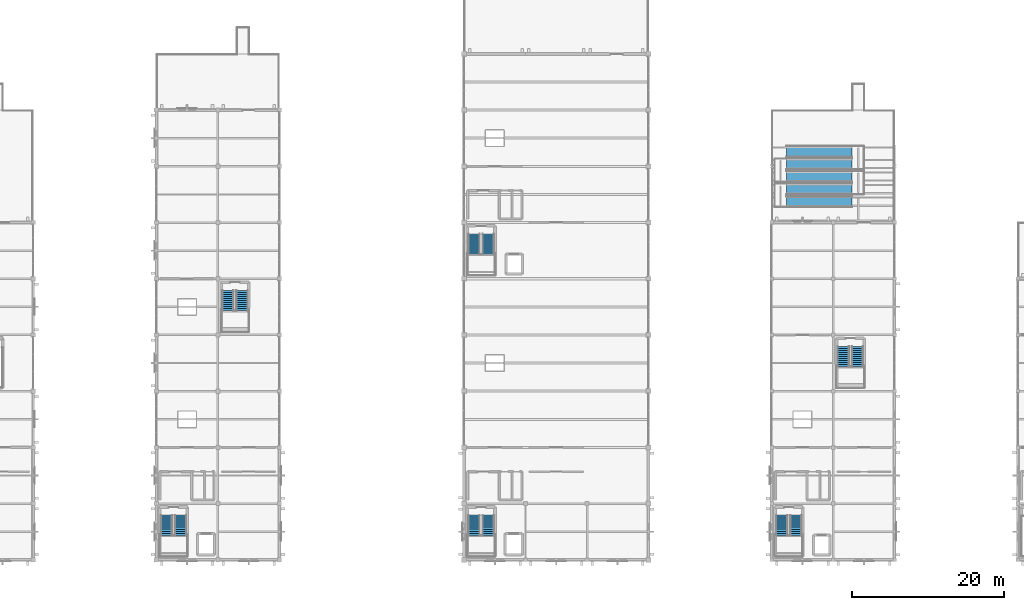
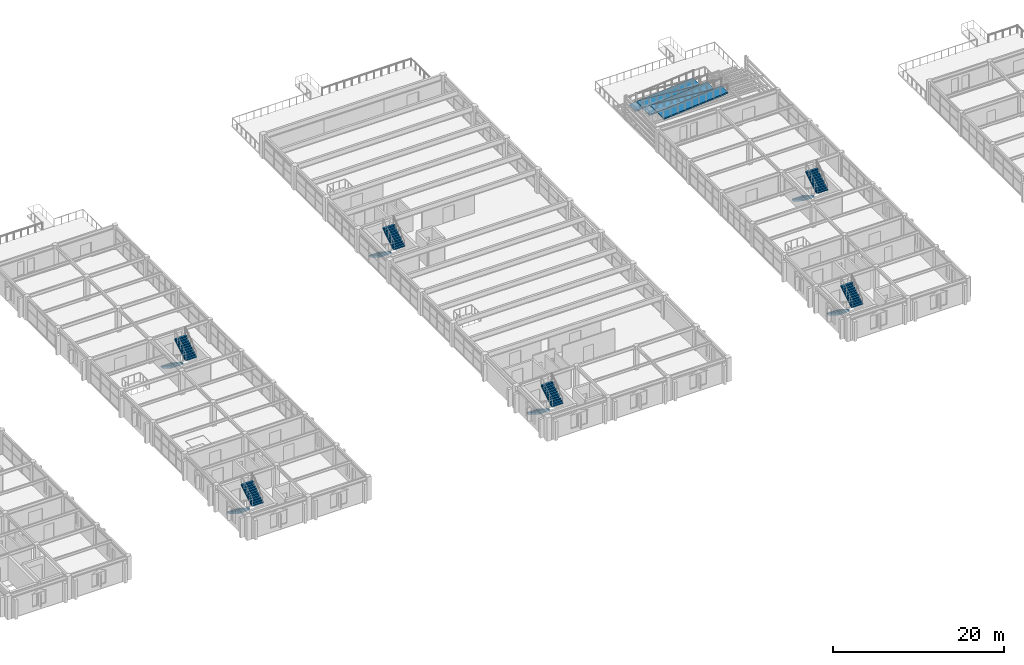
# One storey, part 86 of 93: 12 stair flights, 5 ramp flights, 7 elements without a shape of their own.
"""IFC4 building model written with IfcOpenShell, lengths in metres."""

from ifc_helpers import new_model, si_unit, direction, frame, origin, place, context, subcontext, project, spatial, polyline, outline, extrude, material, layer, layer_set, type_object, element, aggregate, save


model = new_model("IFC4")

# Units and contexts
model_context = context("Model", 3, precision=1e-05, world=origin(), true_north=direction((0.0, 1.0)))
body_context = subcontext(model_context, "Body", "Model", "MODEL_VIEW")
ifc_project = project(units=[si_unit("LENGTHUNIT", "METRE"), si_unit("AREAUNIT", "SQUARE_METRE"), si_unit("VOLUMEUNIT", "CUBIC_METRE"), si_unit("PLANEANGLEUNIT", "RADIAN"), si_unit("MASSUNIT", "GRAM", prefix="KILO")], contexts=[model_context])

# Site, building, storey
site_placement = place(None, origin())
site = spatial("IfcSite", under=ifc_project, at=site_placement, CompositionType="ELEMENT")
building_placement = place(site_placement, origin())
building = spatial("IfcBuilding", under=site, at=building_placement, Name="Cimatlan Art Gallery", CompositionType="ELEMENT")
storey_placement = place(building_placement, frame((0.0, 0.0, 13.800048828125)))
storey = spatial("IfcBuildingStorey", under=building, at=storey_placement, Name="L03", CompositionType="ELEMENT", Elevation=13.800048828125)

# Stair, stair flights
ifc_material = material(Name="Concrete C35/45", Category="concrete")
stair_type = type_object("IfcStairType", Name="STR-HALF-155-360", PredefinedType="HALF_TURN_STAIR", material=ifc_material)
stair_1_placement = place(storey_placement, origin())
stair_1 = element("IfcStair", 1, at=stair_1_placement, inside=storey, type_object=stair_type, Name="STR-C2-L03", PredefinedType="HALF_TURN_STAIR")
stair_flight_type = type_object("IfcStairFlightType", Name="STF-155-11R-265", PredefinedType="STRAIGHT", material=ifc_material)
stair_flight_1_placement = place(storey_placement, frame((35.735107421875, 29.780029296875, 0.0), z_axis=(0.0, 0.0, 1.0), x_axis=(0.0, -1.0, 0.0)))
stair_flight_1 = element("IfcStairFlight", 2, at=stair_flight_1_placement, type_object=stair_flight_type, Name="STR-C2-L03-F1", NumberOfRisers=11, NumberOfTreads=10, PredefinedType="STRAIGHT", RiserHeight=0.163636, TreadLength=0.265, context=body_context, shape_type="SweptSolid", body=[
    extrude(outline(polyline([(0.0, 0.0), (0.0, 0.16357421875), (0.264892578125, 0.16357421875), (0.264892578125, 0.327392578125), (0.530029296875, 0.327392578125), (0.530029296875, 0.490966796875), (0.794921875, 0.490966796875), (0.794921875, 0.654541015625), (1.06005859375, 0.654541015625), (1.06005859375, 0.818115234375), (1.324951171875, 0.818115234375), (1.324951171875, 0.98193359375), (1.590087890625, 0.98193359375), (1.590087890625, 1.1455078125), (1.85498046875, 1.1455078125), (1.85498046875, 1.30908203125), (2.1201171875, 1.30908203125), (2.1201171875, 1.47265625), (2.385009765625, 1.47265625), (2.385009765625, 1.636474609375), (2.64990234375, 1.636474609375), (2.64990234375, 1.800048828125), (2.64990234375, 1.4248046875), (0.342529296875, 0.0), (0.0, 0.0)])), frame((0.0, 0.77490234375, 0.0), z_axis=(0.0, -1.0, 0.0), x_axis=(1.0, 0.0, 0.0)), (0.0, 0.0, 1.0), 1.550048828125),
])
stair_flight_2_placement = place(storey_placement, frame((37.60498046875, 27.1298828125, 1.800048828125), z_axis=(0.0, 0.0, 1.0), x_axis=(0.0, 1.0, 0.0)))
stair_flight_2 = element("IfcStairFlight", 3, at=stair_flight_2_placement, type_object=stair_flight_type, Name="STR-C2-L03-F2", NumberOfRisers=11, NumberOfTreads=10, PredefinedType="STRAIGHT", RiserHeight=0.163636, TreadLength=0.265, context=body_context, shape_type="SweptSolid", body=[
    extrude(outline(polyline([(0.0, 0.0), (0.0, 0.16357421875), (0.264892578125, 0.16357421875), (0.264892578125, 0.327392578125), (0.530029296875, 0.327392578125), (0.530029296875, 0.490966796875), (0.794921875, 0.490966796875), (0.794921875, 0.654541015625), (1.06005859375, 0.654541015625), (1.06005859375, 0.818115234375), (1.324951171875, 0.818115234375), (1.324951171875, 0.98193359375), (1.590087890625, 0.98193359375), (1.590087890625, 1.1455078125), (1.85498046875, 1.1455078125), (1.85498046875, 1.30908203125), (2.1201171875, 1.30908203125), (2.1201171875, 1.47265625), (2.385009765625, 1.47265625), (2.385009765625, 1.636474609375), (2.64990234375, 1.636474609375), (2.64990234375, 1.800048828125), (2.64990234375, 1.4248046875), (0.342529296875, 0.0), (0.0, 0.0)])), frame((0.0, 0.77490234375, 0.0), z_axis=(0.0, -1.0, 0.0), x_axis=(1.0, 0.0, 0.0)), (0.0, 0.0, 1.0), 1.550048828125),
])
aggregate(stair_1, [stair_flight_1, stair_flight_2])

stair_2_placement = place(storey_placement, origin())
stair_2 = element("IfcStair", 4, at=stair_2_placement, inside=storey, type_object=stair_type, Name="STR-C3-L03", PredefinedType="HALF_TURN_STAIR")
stair_flight_3_placement = place(storey_placement, frame((76.235107421875, 29.780029296875, 0.0), z_axis=(0.0, 0.0, 1.0), x_axis=(0.0, -1.0, 0.0)))
stair_flight_3 = element("IfcStairFlight", 5, at=stair_flight_3_placement, type_object=stair_flight_type, Name="STR-C3-L03-F1", NumberOfRisers=11, NumberOfTreads=10, PredefinedType="STRAIGHT", RiserHeight=0.163636, TreadLength=0.265, context=body_context, shape_type="SweptSolid", body=[
    extrude(outline(polyline([(0.0, 0.0), (0.0, 0.16357421875), (0.264892578125, 0.16357421875), (0.264892578125, 0.327392578125), (0.530029296875, 0.327392578125), (0.530029296875, 0.490966796875), (0.794921875, 0.490966796875), (0.794921875, 0.654541015625), (1.06005859375, 0.654541015625), (1.06005859375, 0.818115234375), (1.324951171875, 0.818115234375), (1.324951171875, 0.98193359375), (1.590087890625, 0.98193359375), (1.590087890625, 1.1455078125), (1.85498046875, 1.1455078125), (1.85498046875, 1.30908203125), (2.1201171875, 1.30908203125), (2.1201171875, 1.47265625), (2.385009765625, 1.47265625), (2.385009765625, 1.636474609375), (2.64990234375, 1.636474609375), (2.64990234375, 1.800048828125), (2.64990234375, 1.4248046875), (0.342529296875, 0.0), (0.0, 0.0)])), frame((0.0, 0.77490234375, 0.0), z_axis=(0.0, -1.0, 0.0), x_axis=(1.0, 0.0, 0.0)), (0.0, 0.0, 1.0), 1.550048828125),
])
stair_flight_4_placement = place(storey_placement, frame((78.10498046875, 27.1298828125, 1.800048828125), z_axis=(0.0, 0.0, 1.0), x_axis=(0.0, 1.0, 0.0)))
stair_flight_4 = element("IfcStairFlight", 6, at=stair_flight_4_placement, type_object=stair_flight_type, Name="STR-C3-L03-F2", NumberOfRisers=11, NumberOfTreads=10, PredefinedType="STRAIGHT", RiserHeight=0.163636, TreadLength=0.265, context=body_context, shape_type="SweptSolid", body=[
    extrude(outline(polyline([(0.0, 0.0), (0.0, 0.16357421875), (0.264892578125, 0.16357421875), (0.264892578125, 0.327392578125), (0.530029296875, 0.327392578125), (0.530029296875, 0.490966796875), (0.794921875, 0.490966796875), (0.794921875, 0.654541015625), (1.06005859375, 0.654541015625), (1.06005859375, 0.818115234375), (1.324951171875, 0.818115234375), (1.324951171875, 0.98193359375), (1.590087890625, 0.98193359375), (1.590087890625, 1.1455078125), (1.85498046875, 1.1455078125), (1.85498046875, 1.30908203125), (2.1201171875, 1.30908203125), (2.1201171875, 1.47265625), (2.385009765625, 1.47265625), (2.385009765625, 1.636474609375), (2.64990234375, 1.636474609375), (2.64990234375, 1.800048828125), (2.64990234375, 1.4248046875), (0.342529296875, 0.0), (0.0, 0.0)])), frame((0.0, 0.77490234375, 0.0), z_axis=(0.0, -1.0, 0.0), x_axis=(1.0, 0.0, 0.0)), (0.0, 0.0, 1.0), 1.550048828125),
])
aggregate(stair_2, [stair_flight_3, stair_flight_4])

stair_3_placement = place(storey_placement, origin())
stair_3 = element("IfcStair", 7, at=stair_3_placement, inside=storey, type_object=stair_type, Name="STR-C4-L03", PredefinedType="HALF_TURN_STAIR")
stair_flight_5_placement = place(storey_placement, frame((116.735107421875, 29.780029296875, 0.0), z_axis=(0.0, 0.0, 1.0), x_axis=(0.0, -1.0, 0.0)))
stair_flight_5 = element("IfcStairFlight", 8, at=stair_flight_5_placement, type_object=stair_flight_type, Name="STR-C4-L03-F1", NumberOfRisers=11, NumberOfTreads=10, PredefinedType="STRAIGHT", RiserHeight=0.163636, TreadLength=0.265, context=body_context, shape_type="SweptSolid", body=[
    extrude(outline(polyline([(0.0, 0.0), (0.0, 0.16357421875), (0.264892578125, 0.16357421875), (0.264892578125, 0.327392578125), (0.530029296875, 0.327392578125), (0.530029296875, 0.490966796875), (0.794921875, 0.490966796875), (0.794921875, 0.654541015625), (1.06005859375, 0.654541015625), (1.06005859375, 0.818115234375), (1.324951171875, 0.818115234375), (1.324951171875, 0.98193359375), (1.590087890625, 0.98193359375), (1.590087890625, 1.1455078125), (1.85498046875, 1.1455078125), (1.85498046875, 1.30908203125), (2.1201171875, 1.30908203125), (2.1201171875, 1.47265625), (2.385009765625, 1.47265625), (2.385009765625, 1.636474609375), (2.64990234375, 1.636474609375), (2.64990234375, 1.800048828125), (2.64990234375, 1.4248046875), (0.342529296875, 0.0), (0.0, 0.0)])), frame((0.0, 0.77490234375, 0.0), z_axis=(0.0, -1.0, 0.0), x_axis=(1.0, 0.0, 0.0)), (0.0, 0.0, 1.0), 1.550048828125),
])
stair_flight_6_placement = place(storey_placement, frame((118.60498046875, 27.1298828125, 1.800048828125), z_axis=(0.0, 0.0, 1.0), x_axis=(0.0, 1.0, 0.0)))
stair_flight_6 = element("IfcStairFlight", 9, at=stair_flight_6_placement, type_object=stair_flight_type, Name="STR-C4-L03-F2", NumberOfRisers=11, NumberOfTreads=10, PredefinedType="STRAIGHT", RiserHeight=0.163636, TreadLength=0.265, context=body_context, shape_type="SweptSolid", body=[
    extrude(outline(polyline([(0.0, 0.0), (0.0, 0.16357421875), (0.264892578125, 0.16357421875), (0.264892578125, 0.327392578125), (0.530029296875, 0.327392578125), (0.530029296875, 0.490966796875), (0.794921875, 0.490966796875), (0.794921875, 0.654541015625), (1.06005859375, 0.654541015625), (1.06005859375, 0.818115234375), (1.324951171875, 0.818115234375), (1.324951171875, 0.98193359375), (1.590087890625, 0.98193359375), (1.590087890625, 1.1455078125), (1.85498046875, 1.1455078125), (1.85498046875, 1.30908203125), (2.1201171875, 1.30908203125), (2.1201171875, 1.47265625), (2.385009765625, 1.47265625), (2.385009765625, 1.636474609375), (2.64990234375, 1.636474609375), (2.64990234375, 1.800048828125), (2.64990234375, 1.4248046875), (0.342529296875, 0.0), (0.0, 0.0)])), frame((0.0, 0.77490234375, 0.0), z_axis=(0.0, -1.0, 0.0), x_axis=(1.0, 0.0, 0.0)), (0.0, 0.0, 1.0), 1.550048828125),
])
aggregate(stair_3, [stair_flight_5, stair_flight_6])

stair_4_placement = place(storey_placement, origin())
stair_4 = element("IfcStair", 10, at=stair_4_placement, inside=storey, type_object=stair_type, Name="STR-C6-L03", PredefinedType="HALF_TURN_STAIR")
stair_flight_7_placement = place(storey_placement, frame((76.235107421875, 66.780029296875, 0.0), z_axis=(0.0, 0.0, 1.0), x_axis=(0.0, -1.0, 0.0)))
stair_flight_7 = element("IfcStairFlight", 11, at=stair_flight_7_placement, type_object=stair_flight_type, Name="STR-C6-L03-F1", NumberOfRisers=11, NumberOfTreads=10, PredefinedType="STRAIGHT", RiserHeight=0.163636, TreadLength=0.265, context=body_context, shape_type="SweptSolid", body=[
    extrude(outline(polyline([(0.0, 0.0), (0.0, 0.16357421875), (0.264892578125, 0.16357421875), (0.264892578125, 0.327392578125), (0.530029296875, 0.327392578125), (0.530029296875, 0.490966796875), (0.794921875, 0.490966796875), (0.794921875, 0.654541015625), (1.06005859375, 0.654541015625), (1.06005859375, 0.818115234375), (1.324951171875, 0.818115234375), (1.324951171875, 0.98193359375), (1.590087890625, 0.98193359375), (1.590087890625, 1.1455078125), (1.85498046875, 1.1455078125), (1.85498046875, 1.30908203125), (2.1201171875, 1.30908203125), (2.1201171875, 1.47265625), (2.385009765625, 1.47265625), (2.385009765625, 1.636474609375), (2.64990234375, 1.636474609375), (2.64990234375, 1.800048828125), (2.64990234375, 1.4248046875), (0.342529296875, 0.0), (0.0, 0.0)])), frame((0.0, 0.77490234375, 0.0), z_axis=(0.0, -1.0, 0.0), x_axis=(1.0, 0.0, 0.0)), (0.0, 0.0, 1.0), 1.550048828125),
])
stair_flight_8_placement = place(storey_placement, frame((78.10498046875, 64.1298828125, 1.800048828125), z_axis=(0.0, 0.0, 1.0), x_axis=(0.0, 1.0, 0.0)))
stair_flight_8 = element("IfcStairFlight", 12, at=stair_flight_8_placement, type_object=stair_flight_type, Name="STR-C6-L03-F2", NumberOfRisers=11, NumberOfTreads=10, PredefinedType="STRAIGHT", RiserHeight=0.163636, TreadLength=0.265, context=body_context, shape_type="SweptSolid", body=[
    extrude(outline(polyline([(0.0, 0.0), (0.0, 0.16357421875), (0.264892578125, 0.16357421875), (0.264892578125, 0.327392578125), (0.530029296875, 0.327392578125), (0.530029296875, 0.490966796875), (0.794921875, 0.490966796875), (0.794921875, 0.654541015625), (1.06005859375, 0.654541015625), (1.06005859375, 0.818115234375), (1.324951171875, 0.818115234375), (1.324951171875, 0.98193359375), (1.590087890625, 0.98193359375), (1.590087890625, 1.1455078125), (1.85498046875, 1.1455078125), (1.85498046875, 1.30908203125), (2.1201171875, 1.30908203125), (2.1201171875, 1.47265625), (2.385009765625, 1.47265625), (2.385009765625, 1.636474609375), (2.64990234375, 1.636474609375), (2.64990234375, 1.800048828125), (2.64990234375, 1.4248046875), (0.342529296875, 0.0), (0.0, 0.0)])), frame((0.0, 0.77490234375, 0.0), z_axis=(0.0, -1.0, 0.0), x_axis=(1.0, 0.0, 0.0)), (0.0, 0.0, 1.0), 1.550048828125),
])
aggregate(stair_4, [stair_flight_7, stair_flight_8])

stair_5_placement = place(storey_placement, origin())
stair_5 = element("IfcStair", 13, at=stair_5_placement, inside=storey, type_object=stair_type, Name="STR-C8-L03", PredefinedType="HALF_TURN_STAIR")
stair_flight_9_placement = place(storey_placement, frame((43.8349609375, 59.3798828125, 0.0), z_axis=(0.0, 0.0, 1.0), x_axis=(0.0, -1.0, 0.0)))
stair_flight_9 = element("IfcStairFlight", 14, at=stair_flight_9_placement, type_object=stair_flight_type, Name="STR-C8-L03-F1", NumberOfRisers=11, NumberOfTreads=10, PredefinedType="STRAIGHT", RiserHeight=0.163636, TreadLength=0.265, context=body_context, shape_type="SweptSolid", body=[
    extrude(outline(polyline([(0.0, 0.0), (0.0, 0.16357421875), (0.264892578125, 0.16357421875), (0.264892578125, 0.327392578125), (0.530029296875, 0.327392578125), (0.530029296875, 0.490966796875), (0.794921875, 0.490966796875), (0.794921875, 0.654541015625), (1.06005859375, 0.654541015625), (1.06005859375, 0.818115234375), (1.324951171875, 0.818115234375), (1.324951171875, 0.98193359375), (1.590087890625, 0.98193359375), (1.590087890625, 1.1455078125), (1.85498046875, 1.1455078125), (1.85498046875, 1.30908203125), (2.1201171875, 1.30908203125), (2.1201171875, 1.47265625), (2.385009765625, 1.47265625), (2.385009765625, 1.636474609375), (2.64990234375, 1.636474609375), (2.64990234375, 1.800048828125), (2.64990234375, 1.4248046875), (0.342529296875, 0.0), (0.0, 0.0)])), frame((0.0, 0.77490234375, 0.0), z_axis=(0.0, -1.0, 0.0), x_axis=(1.0, 0.0, 0.0)), (0.0, 0.0, 1.0), 1.550048828125),
])
stair_flight_10_placement = place(storey_placement, frame((45.705078125, 56.72998046875, 1.800048828125), z_axis=(0.0, 0.0, 1.0), x_axis=(0.0, 1.0, 0.0)))
stair_flight_10 = element("IfcStairFlight", 15, at=stair_flight_10_placement, type_object=stair_flight_type, Name="STR-C8-L03-F2", NumberOfRisers=11, NumberOfTreads=10, PredefinedType="STRAIGHT", RiserHeight=0.163636, TreadLength=0.265, context=body_context, shape_type="SweptSolid", body=[
    extrude(outline(polyline([(0.0, 0.0), (0.0, 0.16357421875), (0.264892578125, 0.16357421875), (0.264892578125, 0.327392578125), (0.530029296875, 0.327392578125), (0.530029296875, 0.490966796875), (0.794921875, 0.490966796875), (0.794921875, 0.654541015625), (1.06005859375, 0.654541015625), (1.06005859375, 0.818115234375), (1.324951171875, 0.818115234375), (1.324951171875, 0.98193359375), (1.590087890625, 0.98193359375), (1.590087890625, 1.1455078125), (1.85498046875, 1.1455078125), (1.85498046875, 1.30908203125), (2.1201171875, 1.30908203125), (2.1201171875, 1.47265625), (2.385009765625, 1.47265625), (2.385009765625, 1.636474609375), (2.64990234375, 1.636474609375), (2.64990234375, 1.800048828125), (2.64990234375, 1.4248046875), (0.342529296875, 0.0), (0.0, 0.0)])), frame((0.0, 0.77490234375, 0.0), z_axis=(0.0, -1.0, 0.0), x_axis=(1.0, 0.0, 0.0)), (0.0, 0.0, 1.0), 1.550048828125),
])
aggregate(stair_5, [stair_flight_9, stair_flight_10])

stair_6_placement = place(storey_placement, origin())
stair_6 = element("IfcStair", 16, at=stair_6_placement, inside=storey, type_object=stair_type, Name="STR-C9-L03", PredefinedType="HALF_TURN_STAIR")
stair_flight_11_placement = place(storey_placement, frame((124.8349609375, 51.97998046875, 0.0), z_axis=(0.0, 0.0, 1.0), x_axis=(0.0, -1.0, 0.0)))
stair_flight_11 = element("IfcStairFlight", 17, at=stair_flight_11_placement, type_object=stair_flight_type, Name="STR-C9-L03-F1", NumberOfRisers=11, NumberOfTreads=10, PredefinedType="STRAIGHT", RiserHeight=0.163636, TreadLength=0.265, context=body_context, shape_type="SweptSolid", body=[
    extrude(outline(polyline([(0.0, 0.0), (0.0, 0.16357421875), (0.264892578125, 0.16357421875), (0.264892578125, 0.327392578125), (0.530029296875, 0.327392578125), (0.530029296875, 0.490966796875), (0.794921875, 0.490966796875), (0.794921875, 0.654541015625), (1.06005859375, 0.654541015625), (1.06005859375, 0.818115234375), (1.324951171875, 0.818115234375), (1.324951171875, 0.98193359375), (1.590087890625, 0.98193359375), (1.590087890625, 1.1455078125), (1.85498046875, 1.1455078125), (1.85498046875, 1.30908203125), (2.1201171875, 1.30908203125), (2.1201171875, 1.47265625), (2.385009765625, 1.47265625), (2.385009765625, 1.636474609375), (2.64990234375, 1.636474609375), (2.64990234375, 1.800048828125), (2.64990234375, 1.4248046875), (0.342529296875, 0.0), (0.0, 0.0)])), frame((0.0, 0.77490234375, 0.0), z_axis=(0.0, -1.0, 0.0), x_axis=(1.0, 0.0, 0.0)), (0.0, 0.0, 1.0), 1.550048828125),
])
stair_flight_12_placement = place(storey_placement, frame((126.705078125, 49.330078125, 1.800048828125), z_axis=(0.0, 0.0, 1.0), x_axis=(0.0, 1.0, 0.0)))
stair_flight_12 = element("IfcStairFlight", 18, at=stair_flight_12_placement, type_object=stair_flight_type, Name="STR-C9-L03-F2", NumberOfRisers=11, NumberOfTreads=10, PredefinedType="STRAIGHT", RiserHeight=0.163636, TreadLength=0.265, context=body_context, shape_type="SweptSolid", body=[
    extrude(outline(polyline([(0.0, 0.0), (0.0, 0.16357421875), (0.264892578125, 0.16357421875), (0.264892578125, 0.327392578125), (0.530029296875, 0.327392578125), (0.530029296875, 0.490966796875), (0.794921875, 0.490966796875), (0.794921875, 0.654541015625), (1.06005859375, 0.654541015625), (1.06005859375, 0.818115234375), (1.324951171875, 0.818115234375), (1.324951171875, 0.98193359375), (1.590087890625, 0.98193359375), (1.590087890625, 1.1455078125), (1.85498046875, 1.1455078125), (1.85498046875, 1.30908203125), (2.1201171875, 1.30908203125), (2.1201171875, 1.47265625), (2.385009765625, 1.47265625), (2.385009765625, 1.636474609375), (2.64990234375, 1.636474609375), (2.64990234375, 1.800048828125), (2.64990234375, 1.4248046875), (0.342529296875, 0.0), (0.0, 0.0)])), frame((0.0, 0.77490234375, 0.0), z_axis=(0.0, -1.0, 0.0), x_axis=(1.0, 0.0, 0.0)), (0.0, 0.0, 1.0), 1.550048828125),
])
aggregate(stair_6, [stair_flight_11, stair_flight_12])

# Ramp, ramp flights
ramp_type = type_object("IfcRampType", Name="RMP-TER-1500", PredefinedType="TWO_STRAIGHT_RUN_RAMP", material=ifc_material)
ramp_placement = place(storey_placement, origin())
ramp = element("IfcRamp", 19, at=ramp_placement, inside=storey, type_object=ramp_type, Name="RMP-TER-U4", PredefinedType="TWO_STRAIGHT_RUN_RAMP")
ifc_layer = layer(ifc_material, 0.199951171875)
ifc_layer_set = layer_set([ifc_layer], Name="Concrete C35/45")
ramp_flight_type = type_object("IfcRampFlightType", Name="RMF-TER-8640", PredefinedType="STRAIGHT", material=ifc_layer_set)
ramp_flight_1_placement = place(storey_placement, frame((117.35009765625, 77.64990234375, 0.0), z_axis=(0.0, 0.0, 1.0), x_axis=(1.0, 0.0, 0.0)))
ramp_flight_1 = element("IfcRampFlight", 20, at=ramp_flight_1_placement, type_object=ramp_flight_type, Name="RMP-TER-U4-FL1", PredefinedType="STRAIGHT", context=body_context, shape_type="SweptSolid", body=[
    extrude(outline(polyline([(0.0, 0.0), (8.639892578125, 0.719970703125), (8.639892578125, 0.52001953125), (0.0, -0.199951171875), (0.0, 0.0)])), frame((0.0, 0.75, 0.0), z_axis=(0.0, -1.0, 0.0), x_axis=(1.0, 0.0, 0.0)), (0.0, 0.0, 1.0), 1.5),
])
ramp_flight_2_placement = place(storey_placement, frame((125.989990234375, 76.0, 0.719970703125), z_axis=(0.0, 0.0, 1.0), x_axis=(-1.0, 0.0, 0.0)))
ramp_flight_2 = element("IfcRampFlight", 21, at=ramp_flight_2_placement, type_object=ramp_flight_type, Name="RMP-TER-U4-FL2", PredefinedType="STRAIGHT", context=body_context, shape_type="SweptSolid", body=[
    extrude(outline(polyline([(0.0, 0.0), (8.639892578125, 0.719970703125), (8.639892578125, 0.52001953125), (0.0, -0.199951171875), (0.0, 0.0)])), frame((0.0, 0.75, 0.0), z_axis=(0.0, -1.0, 0.0), x_axis=(1.0, 0.0, 0.0)), (0.0, 0.0, 1.0), 1.5),
])
ramp_flight_3_placement = place(storey_placement, frame((117.35009765625, 74.35009765625, 1.43994140625), z_axis=(0.0, 0.0, 1.0), x_axis=(1.0, 0.0, 0.0)))
ramp_flight_3 = element("IfcRampFlight", 22, at=ramp_flight_3_placement, type_object=ramp_flight_type, Name="RMP-TER-U4-FL3", PredefinedType="STRAIGHT", context=body_context, shape_type="SweptSolid", body=[
    extrude(outline(polyline([(0.0, 0.0), (8.639892578125, 0.719970703125), (8.639892578125, 0.52001953125), (0.0, -0.199951171875), (0.0, 0.0)])), frame((0.0, 0.75, 0.0), z_axis=(0.0, -1.0, 0.0), x_axis=(1.0, 0.0, 0.0)), (0.0, 0.0, 1.0), 1.5),
])
ramp_flight_4_placement = place(storey_placement, frame((125.989990234375, 72.699951171875, 2.159912109375), z_axis=(0.0, 0.0, 1.0), x_axis=(-1.0, 0.0, 0.0)))
ramp_flight_4 = element("IfcRampFlight", 23, at=ramp_flight_4_placement, type_object=ramp_flight_type, Name="RMP-TER-U4-FL4", PredefinedType="STRAIGHT", context=body_context, shape_type="SweptSolid", body=[
    extrude(outline(polyline([(0.0, 0.0), (8.639892578125, 0.719970703125), (8.639892578125, 0.52001953125), (0.0, -0.199951171875), (0.0, 0.0)])), frame((0.0, 0.75, 0.0), z_axis=(0.0, -1.0, 0.0), x_axis=(1.0, 0.0, 0.0)), (0.0, 0.0, 1.0), 1.5),
])
ramp_flight_5_placement = place(storey_placement, frame((117.35009765625, 71.050048828125, 2.8798828125), z_axis=(0.0, 0.0, 1.0), x_axis=(1.0, 0.0, 0.0)))
ramp_flight_5 = element("IfcRampFlight", 24, at=ramp_flight_5_placement, type_object=ramp_flight_type, Name="RMP-TER-U4-FL5", PredefinedType="STRAIGHT", context=body_context, shape_type="SweptSolid", body=[
    extrude(outline(polyline([(0.0, 0.0), (8.639892578125, 0.719970703125), (8.639892578125, 0.52001953125), (0.0, -0.199951171875), (0.0, 0.0)])), frame((0.0, 0.75, 0.0), z_axis=(0.0, -1.0, 0.0), x_axis=(1.0, 0.0, 0.0)), (0.0, 0.0, 1.0), 1.5),
])
aggregate(ramp, [ramp_flight_1, ramp_flight_2, ramp_flight_3, ramp_flight_4, ramp_flight_5])

save(model, "model.ifc")
